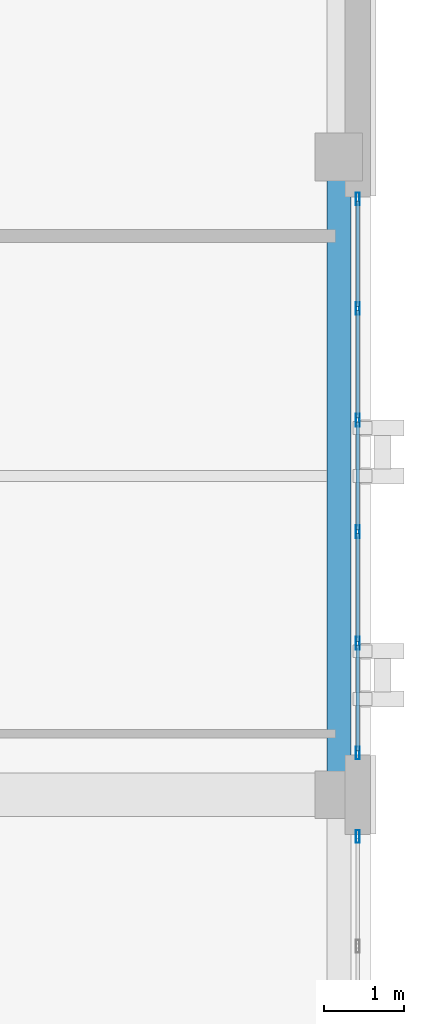
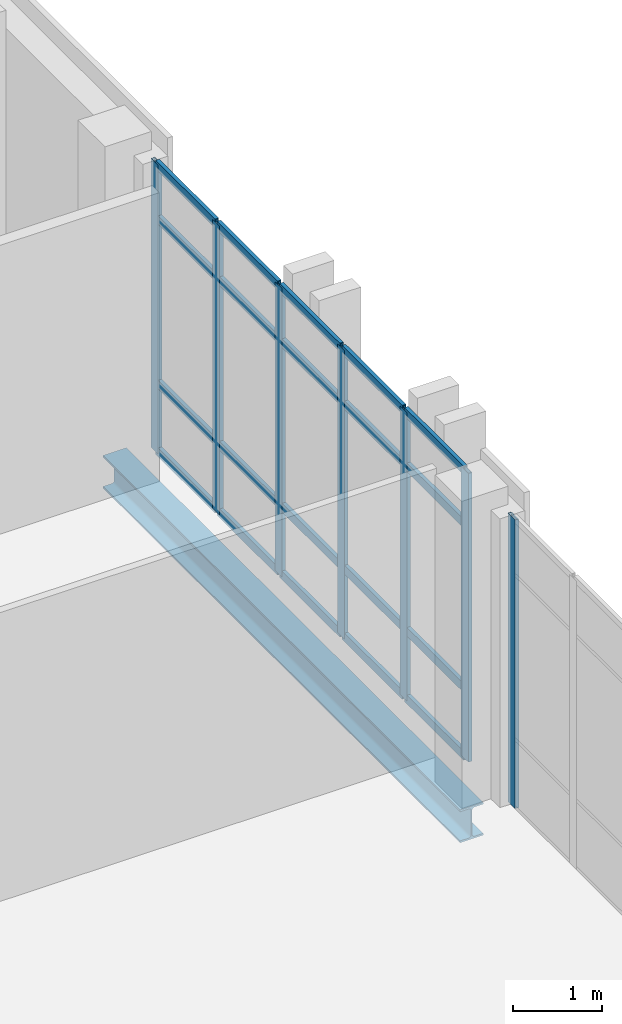
# One storey, part 12 of 19: 27 members, 1 beam, 2 elements without a shape of their own.
"""IFC4 building model written with IfcOpenShell, lengths in metres."""

from ifc_helpers import new_model, si_unit, direction, frame, origin, origin_2d, place, context, subcontext, project, spatial, hollow_rectangle, i_section, extrude, material, layer, layer_set, material_profile, profile_set, type_object, element, aggregate, save


model = new_model("IFC4")

# Units and contexts
model_context = context("Model", 3, precision=1e-05, world=origin(), true_north=direction((0.0, 1.0)))
body_context = subcontext(model_context, "Body", "Model", "MODEL_VIEW")
ifc_project = project(units=[si_unit("LENGTHUNIT", "METRE"), si_unit("AREAUNIT", "SQUARE_METRE"), si_unit("VOLUMEUNIT", "CUBIC_METRE"), si_unit("PLANEANGLEUNIT", "RADIAN"), si_unit("MASSUNIT", "GRAM", prefix="KILO")], contexts=[model_context])

# Site, building, storey
site_placement = place(None, origin())
site = spatial("IfcSite", under=ifc_project, at=site_placement, CompositionType="ELEMENT")
building_placement = place(site_placement, origin())
building = spatial("IfcBuilding", under=site, at=building_placement, Name="Qalavern Law Courts", CompositionType="ELEMENT")
storey_placement = place(building_placement, frame((0.0, 0.0, 39.60009765625)))
storey = spatial("IfcBuildingStorey", under=building, at=storey_placement, Name="L09", CompositionType="ELEMENT", Elevation=39.60009765625)

# Curtain wall, member
ifc_material_1 = material(Name="Anodised aluminium and insulated glazing", Category="aluminium")
ifc_layer = layer(ifc_material_1, 0.159912109375)
ifc_layer_set = layer_set([ifc_layer], Name="Anodised aluminium and insulated glazing")
curtain_wall_type = type_object("IfcCurtainWallType", Name="ENV-CW-CHAMB", PredefinedType="USERDEFINED", material=ifc_layer_set)
curtain_wall_1_placement = place(storey_placement, origin())
curtain_wall_1 = element("IfcCurtainWall", 1, at=curtain_wall_1_placement, inside=storey, type_object=curtain_wall_type, Name="V4 unitised curtain wall L09 east 2", ObjectType="UNITISED CURTAIN WALL", PredefinedType="USERDEFINED")
ifc_material_2 = material(Name="Anodised aluminium", Category="aluminium")
ifc_material_profile_1 = material_profile(ifc_material_2, hollow_rectangle(XDim=0.048095703125, YDim=0.159912109375, WallThickness=0.00390625, at=origin_2d()), Name="ALU MULLION 48x160")
ifc_profile_set_1 = profile_set([ifc_material_profile_1], Name="Anodised aluminium")
member_type_1 = type_object("IfcMemberType", Name="ENV-CWM-48x160", PredefinedType="MULLION", material=ifc_profile_set_1)
member_1_placement = place(storey_placement, frame((106.637451171875, 56.8759765625, 0.0), z_axis=(0.0, 0.0, 1.0), x_axis=(-1.0, 0.0, 0.0)))
member_1 = element("IfcMember", 2, at=member_1_placement, type_object=member_type_1, Name="CW-04 mullion 6", PredefinedType="MULLION", context=body_context, shape_type="SweptSolid", body=[
    extrude(hollow_rectangle(XDim=0.048095703125, YDim=0.159912109375, WallThickness=0.00390625, at=origin_2d()), origin(), (0.0, 0.0, 1.0), 3.949951171875),
])
aggregate(curtain_wall_1, [member_1])

# Curtain wall, members
curtain_wall_2_placement = place(storey_placement, origin())
curtain_wall_2 = element("IfcCurtainWall", 3, at=curtain_wall_2_placement, inside=storey, type_object=curtain_wall_type, Name="V4 unitised curtain wall L09 east 3", ObjectType="UNITISED CURTAIN WALL", PredefinedType="USERDEFINED")
member_2_placement = place(storey_placement, frame((106.637451171875, 57.924072265625, 0.0), z_axis=(0.0, 0.0, 1.0), x_axis=(-1.0, 0.0, 0.0)))
member_2 = element("IfcMember", 4, at=member_2_placement, type_object=member_type_1, Name="CW-04 mullion 1", PredefinedType="MULLION", context=body_context, shape_type="SweptSolid", body=[
    extrude(hollow_rectangle(XDim=0.048095703125, YDim=0.159912109375, WallThickness=0.00390625, at=origin_2d()), origin(), (0.0, 0.0, 1.0), 3.949951171875),
])
member_3_placement = place(storey_placement, frame((106.637451171875, 59.300048828125, 0.0), z_axis=(0.0, 0.0, 1.0), x_axis=(-1.0, 0.0, 0.0)))
member_3 = element("IfcMember", 5, at=member_3_placement, type_object=member_type_1, Name="CW-04 mullion 2", PredefinedType="MULLION", context=body_context, shape_type="SweptSolid", body=[
    extrude(hollow_rectangle(XDim=0.048095703125, YDim=0.159912109375, WallThickness=0.00390625, at=origin_2d()), origin(), (0.0, 0.0, 1.0), 3.949951171875),
])
member_4_placement = place(storey_placement, frame((106.637451171875, 60.699951171875, 0.0), z_axis=(0.0, 0.0, 1.0), x_axis=(-1.0, 0.0, 0.0)))
member_4 = element("IfcMember", 6, at=member_4_placement, type_object=member_type_1, Name="CW-04 mullion 3", PredefinedType="MULLION", context=body_context, shape_type="SweptSolid", body=[
    extrude(hollow_rectangle(XDim=0.048095703125, YDim=0.159912109375, WallThickness=0.00390625, at=origin_2d()), origin(), (0.0, 0.0, 1.0), 3.949951171875),
])
member_5_placement = place(storey_placement, frame((106.637451171875, 62.10009765625, 0.0), z_axis=(0.0, 0.0, 1.0), x_axis=(-1.0, 0.0, 0.0)))
member_5 = element("IfcMember", 7, at=member_5_placement, type_object=member_type_1, Name="CW-04 mullion 4", PredefinedType="MULLION", context=body_context, shape_type="SweptSolid", body=[
    extrude(hollow_rectangle(XDim=0.048095703125, YDim=0.159912109375, WallThickness=0.00390625, at=origin_2d()), origin(), (0.0, 0.0, 1.0), 3.949951171875),
])
member_6_placement = place(storey_placement, frame((106.637451171875, 63.5, 0.0), z_axis=(0.0, 0.0, 1.0), x_axis=(-1.0, 0.0, 0.0)))
member_6 = element("IfcMember", 8, at=member_6_placement, type_object=member_type_1, Name="CW-04 mullion 5", PredefinedType="MULLION", context=body_context, shape_type="SweptSolid", body=[
    extrude(hollow_rectangle(XDim=0.048095703125, YDim=0.159912109375, WallThickness=0.00390625, at=origin_2d()), origin(), (0.0, 0.0, 1.0), 3.949951171875),
])
member_7_placement = place(storey_placement, frame((106.637451171875, 64.8759765625, 0.0), z_axis=(0.0, 0.0, 1.0), x_axis=(-1.0, 0.0, 0.0)))
member_7 = element("IfcMember", 9, at=member_7_placement, type_object=member_type_1, Name="CW-04 mullion 6", PredefinedType="MULLION", context=body_context, shape_type="SweptSolid", body=[
    extrude(hollow_rectangle(XDim=0.048095703125, YDim=0.159912109375, WallThickness=0.00390625, at=origin_2d()), origin(), (0.0, 0.0, 1.0), 3.949951171875),
])
ifc_material_profile_2 = material_profile(ifc_material_2, hollow_rectangle(XDim=0.048095703125, YDim=0.1201171875, WallThickness=0.00390625, at=origin_2d()), Name="ALU TRANSOM 48x120")
ifc_profile_set_2 = profile_set([ifc_material_profile_2], Name="Anodised aluminium")
member_type_2 = type_object("IfcMemberType", Name="ENV-CWT-48x120", PredefinedType="USERDEFINED", material=ifc_profile_set_2)
member_8_placement = place(storey_placement, frame((106.637451171875, 57.947998046875, 0.02392578125), z_axis=(0.0, 1.0, 0.0), x_axis=(-1.0, 0.0, 0.0)))
member_8 = element("IfcMember", 10, at=member_8_placement, type_object=member_type_2, Name="CW-04 transom 1.1", ObjectType="TRANSOM", PredefinedType="USERDEFINED", context=body_context, shape_type="SweptSolid", body=[
    extrude(hollow_rectangle(XDim=0.048095703125, YDim=0.1201171875, WallThickness=0.00390625, at=origin_2d()), origin(), (0.0, 0.0, 1.0), 1.327880859375),
])
member_9_placement = place(storey_placement, frame((106.637451171875, 57.947998046875, 0.949951171875), z_axis=(0.0, 1.0, 0.0), x_axis=(-1.0, 0.0, 0.0)))
member_9 = element("IfcMember", 11, at=member_9_placement, type_object=member_type_2, Name="CW-04 transom 1.2", ObjectType="TRANSOM", PredefinedType="USERDEFINED", context=body_context, shape_type="SweptSolid", body=[
    extrude(hollow_rectangle(XDim=0.048095703125, YDim=0.1201171875, WallThickness=0.00390625, at=origin_2d()), origin(), (0.0, 0.0, 1.0), 1.327880859375),
])
member_10_placement = place(storey_placement, frame((106.637451171875, 57.947998046875, 3.199951171875), z_axis=(0.0, 1.0, 0.0), x_axis=(-1.0, 0.0, 0.0)))
member_10 = element("IfcMember", 12, at=member_10_placement, type_object=member_type_2, Name="CW-04 transom 1.3", ObjectType="TRANSOM", PredefinedType="USERDEFINED", context=body_context, shape_type="SweptSolid", body=[
    extrude(hollow_rectangle(XDim=0.048095703125, YDim=0.1201171875, WallThickness=0.00390625, at=origin_2d()), origin(), (0.0, 0.0, 1.0), 1.327880859375),
])
member_11_placement = place(storey_placement, frame((106.637451171875, 57.947998046875, 3.92578125), z_axis=(0.0, 1.0, 0.0), x_axis=(-1.0, 0.0, 0.0)))
member_11 = element("IfcMember", 13, at=member_11_placement, type_object=member_type_2, Name="CW-04 transom 1.4", ObjectType="TRANSOM", PredefinedType="USERDEFINED", context=body_context, shape_type="SweptSolid", body=[
    extrude(hollow_rectangle(XDim=0.048095703125, YDim=0.1201171875, WallThickness=0.00390625, at=origin_2d()), origin(), (0.0, 0.0, 1.0), 1.327880859375),
])
member_12_placement = place(storey_placement, frame((106.637451171875, 59.323974609375, 0.02392578125), z_axis=(0.0, 1.0, 0.0), x_axis=(-1.0, 0.0, 0.0)))
member_12 = element("IfcMember", 14, at=member_12_placement, type_object=member_type_2, Name="CW-04 transom 2.1", ObjectType="TRANSOM", PredefinedType="USERDEFINED", context=body_context, shape_type="SweptSolid", body=[
    extrude(hollow_rectangle(XDim=0.048095703125, YDim=0.1201171875, WallThickness=0.00390625, at=origin_2d()), origin(), (0.0, 0.0, 1.0), 1.35205078125),
])
member_13_placement = place(storey_placement, frame((106.637451171875, 59.323974609375, 0.949951171875), z_axis=(0.0, 1.0, 0.0), x_axis=(-1.0, 0.0, 0.0)))
member_13 = element("IfcMember", 15, at=member_13_placement, type_object=member_type_2, Name="CW-04 transom 2.2", ObjectType="TRANSOM", PredefinedType="USERDEFINED", context=body_context, shape_type="SweptSolid", body=[
    extrude(hollow_rectangle(XDim=0.048095703125, YDim=0.1201171875, WallThickness=0.00390625, at=origin_2d()), origin(), (0.0, 0.0, 1.0), 1.35205078125),
])
member_14_placement = place(storey_placement, frame((106.637451171875, 59.323974609375, 3.199951171875), z_axis=(0.0, 1.0, 0.0), x_axis=(-1.0, 0.0, 0.0)))
member_14 = element("IfcMember", 16, at=member_14_placement, type_object=member_type_2, Name="CW-04 transom 2.3", ObjectType="TRANSOM", PredefinedType="USERDEFINED", context=body_context, shape_type="SweptSolid", body=[
    extrude(hollow_rectangle(XDim=0.048095703125, YDim=0.1201171875, WallThickness=0.00390625, at=origin_2d()), origin(), (0.0, 0.0, 1.0), 1.35205078125),
])
member_15_placement = place(storey_placement, frame((106.637451171875, 59.323974609375, 3.92578125), z_axis=(0.0, 1.0, 0.0), x_axis=(-1.0, 0.0, 0.0)))
member_15 = element("IfcMember", 17, at=member_15_placement, type_object=member_type_2, Name="CW-04 transom 2.4", ObjectType="TRANSOM", PredefinedType="USERDEFINED", context=body_context, shape_type="SweptSolid", body=[
    extrude(hollow_rectangle(XDim=0.048095703125, YDim=0.1201171875, WallThickness=0.00390625, at=origin_2d()), origin(), (0.0, 0.0, 1.0), 1.35205078125),
])
member_16_placement = place(storey_placement, frame((106.637451171875, 60.72412109375, 0.02392578125), z_axis=(0.0, 1.0, 0.0), x_axis=(-1.0, 0.0, 0.0)))
member_16 = element("IfcMember", 18, at=member_16_placement, type_object=member_type_2, Name="CW-04 transom 3.1", ObjectType="TRANSOM", PredefinedType="USERDEFINED", context=body_context, shape_type="SweptSolid", body=[
    extrude(hollow_rectangle(XDim=0.048095703125, YDim=0.1201171875, WallThickness=0.00390625, at=origin_2d()), origin(), (0.0, 0.0, 1.0), 1.351806640625),
])
member_17_placement = place(storey_placement, frame((106.637451171875, 60.72412109375, 0.949951171875), z_axis=(0.0, 1.0, 0.0), x_axis=(-1.0, 0.0, 0.0)))
member_17 = element("IfcMember", 19, at=member_17_placement, type_object=member_type_2, Name="CW-04 transom 3.2", ObjectType="TRANSOM", PredefinedType="USERDEFINED", context=body_context, shape_type="SweptSolid", body=[
    extrude(hollow_rectangle(XDim=0.048095703125, YDim=0.1201171875, WallThickness=0.00390625, at=origin_2d()), origin(), (0.0, 0.0, 1.0), 1.351806640625),
])
member_18_placement = place(storey_placement, frame((106.637451171875, 60.72412109375, 3.199951171875), z_axis=(0.0, 1.0, 0.0), x_axis=(-1.0, 0.0, 0.0)))
member_18 = element("IfcMember", 20, at=member_18_placement, type_object=member_type_2, Name="CW-04 transom 3.3", ObjectType="TRANSOM", PredefinedType="USERDEFINED", context=body_context, shape_type="SweptSolid", body=[
    extrude(hollow_rectangle(XDim=0.048095703125, YDim=0.1201171875, WallThickness=0.00390625, at=origin_2d()), origin(), (0.0, 0.0, 1.0), 1.351806640625),
])
member_19_placement = place(storey_placement, frame((106.637451171875, 60.72412109375, 3.92578125), z_axis=(0.0, 1.0, 0.0), x_axis=(-1.0, 0.0, 0.0)))
member_19 = element("IfcMember", 21, at=member_19_placement, type_object=member_type_2, Name="CW-04 transom 3.4", ObjectType="TRANSOM", PredefinedType="USERDEFINED", context=body_context, shape_type="SweptSolid", body=[
    extrude(hollow_rectangle(XDim=0.048095703125, YDim=0.1201171875, WallThickness=0.00390625, at=origin_2d()), origin(), (0.0, 0.0, 1.0), 1.351806640625),
])
member_20_placement = place(storey_placement, frame((106.637451171875, 62.1240234375, 0.02392578125), z_axis=(0.0, 1.0, 0.0), x_axis=(-1.0, 0.0, 0.0)))
member_20 = element("IfcMember", 22, at=member_20_placement, type_object=member_type_2, Name="CW-04 transom 4.1", ObjectType="TRANSOM", PredefinedType="USERDEFINED", context=body_context, shape_type="SweptSolid", body=[
    extrude(hollow_rectangle(XDim=0.048095703125, YDim=0.1201171875, WallThickness=0.00390625, at=origin_2d()), origin(), (0.0, 0.0, 1.0), 1.35205078125),
])
member_21_placement = place(storey_placement, frame((106.637451171875, 62.1240234375, 0.949951171875), z_axis=(0.0, 1.0, 0.0), x_axis=(-1.0, 0.0, 0.0)))
member_21 = element("IfcMember", 23, at=member_21_placement, type_object=member_type_2, Name="CW-04 transom 4.2", ObjectType="TRANSOM", PredefinedType="USERDEFINED", context=body_context, shape_type="SweptSolid", body=[
    extrude(hollow_rectangle(XDim=0.048095703125, YDim=0.1201171875, WallThickness=0.00390625, at=origin_2d()), origin(), (0.0, 0.0, 1.0), 1.35205078125),
])
member_22_placement = place(storey_placement, frame((106.637451171875, 62.1240234375, 3.199951171875), z_axis=(0.0, 1.0, 0.0), x_axis=(-1.0, 0.0, 0.0)))
member_22 = element("IfcMember", 24, at=member_22_placement, type_object=member_type_2, Name="CW-04 transom 4.3", ObjectType="TRANSOM", PredefinedType="USERDEFINED", context=body_context, shape_type="SweptSolid", body=[
    extrude(hollow_rectangle(XDim=0.048095703125, YDim=0.1201171875, WallThickness=0.00390625, at=origin_2d()), origin(), (0.0, 0.0, 1.0), 1.35205078125),
])
member_23_placement = place(storey_placement, frame((106.637451171875, 62.1240234375, 3.92578125), z_axis=(0.0, 1.0, 0.0), x_axis=(-1.0, 0.0, 0.0)))
member_23 = element("IfcMember", 25, at=member_23_placement, type_object=member_type_2, Name="CW-04 transom 4.4", ObjectType="TRANSOM", PredefinedType="USERDEFINED", context=body_context, shape_type="SweptSolid", body=[
    extrude(hollow_rectangle(XDim=0.048095703125, YDim=0.1201171875, WallThickness=0.00390625, at=origin_2d()), origin(), (0.0, 0.0, 1.0), 1.35205078125),
])
member_24_placement = place(storey_placement, frame((106.637451171875, 63.52392578125, 0.02392578125), z_axis=(0.0, 1.0, 0.0), x_axis=(-1.0, 0.0, 0.0)))
member_24 = element("IfcMember", 26, at=member_24_placement, type_object=member_type_2, Name="CW-04 transom 5.1", ObjectType="TRANSOM", PredefinedType="USERDEFINED", context=body_context, shape_type="SweptSolid", body=[
    extrude(hollow_rectangle(XDim=0.048095703125, YDim=0.1201171875, WallThickness=0.00390625, at=origin_2d()), origin(), (0.0, 0.0, 1.0), 1.328125),
])
member_25_placement = place(storey_placement, frame((106.637451171875, 63.52392578125, 0.949951171875), z_axis=(0.0, 1.0, 0.0), x_axis=(-1.0, 0.0, 0.0)))
member_25 = element("IfcMember", 27, at=member_25_placement, type_object=member_type_2, Name="CW-04 transom 5.2", ObjectType="TRANSOM", PredefinedType="USERDEFINED", context=body_context, shape_type="SweptSolid", body=[
    extrude(hollow_rectangle(XDim=0.048095703125, YDim=0.1201171875, WallThickness=0.00390625, at=origin_2d()), origin(), (0.0, 0.0, 1.0), 1.328125),
])
member_26_placement = place(storey_placement, frame((106.637451171875, 63.52392578125, 3.199951171875), z_axis=(0.0, 1.0, 0.0), x_axis=(-1.0, 0.0, 0.0)))
member_26 = element("IfcMember", 28, at=member_26_placement, type_object=member_type_2, Name="CW-04 transom 5.3", ObjectType="TRANSOM", PredefinedType="USERDEFINED", context=body_context, shape_type="SweptSolid", body=[
    extrude(hollow_rectangle(XDim=0.048095703125, YDim=0.1201171875, WallThickness=0.00390625, at=origin_2d()), origin(), (0.0, 0.0, 1.0), 1.328125),
])
member_27_placement = place(storey_placement, frame((106.637451171875, 63.52392578125, 3.92578125), z_axis=(0.0, 1.0, 0.0), x_axis=(-1.0, 0.0, 0.0)))
member_27 = element("IfcMember", 29, at=member_27_placement, type_object=member_type_2, Name="CW-04 transom 5.4", ObjectType="TRANSOM", PredefinedType="USERDEFINED", context=body_context, shape_type="SweptSolid", body=[
    extrude(hollow_rectangle(XDim=0.048095703125, YDim=0.1201171875, WallThickness=0.00390625, at=origin_2d()), origin(), (0.0, 0.0, 1.0), 1.328125),
])
aggregate(curtain_wall_2, [member_2, member_3, member_4, member_5, member_6, member_7, member_8, member_9, member_10, member_11, member_12, member_13, member_14, member_15, member_16, member_17, member_18, member_19, member_20, member_21, member_22, member_23, member_24, member_25, member_26, member_27])

# Beam
ifc_material_3 = material(Name="Steel S355", Category="steel")
ifc_material_profile_3 = material_profile(ifc_material_3, i_section(OverallWidth=0.300048828125, OverallDepth=0.449951171875, WebThickness=0.013916015625, FlangeThickness=0.02587890625, FilletRadius=0.027099609375, at=origin_2d()), Name="HEB 450")
ifc_profile_set_3 = profile_set([ifc_material_profile_3], Name="Steel S355")
beam_type = type_object("IfcBeamType", Name="STR-SP-HEB450", PredefinedType="SPANDREL", material=ifc_profile_set_3)
beam_placement = place(storey_placement, frame((106.39990234375, 57.39990234375, -0.47998046875), z_axis=(0.0, 1.0, 0.0), x_axis=(-1.0, 0.0, 0.0)))
element("IfcBeam", 30, at=beam_placement, inside=storey, type_object=beam_type, Name="V4 Y-beam 3-3 L09", PredefinedType="SPANDREL", context=body_context, shape_type="SweptSolid", body=[
    extrude(i_section(OverallWidth=0.300048828125, OverallDepth=0.449951171875, WebThickness=0.013916015625, FlangeThickness=0.02587890625, FilletRadius=0.027099609375, at=origin_2d()), origin(), (0.0, 0.0, 1.0), 8.0),
])

save(model, "model.ifc")
